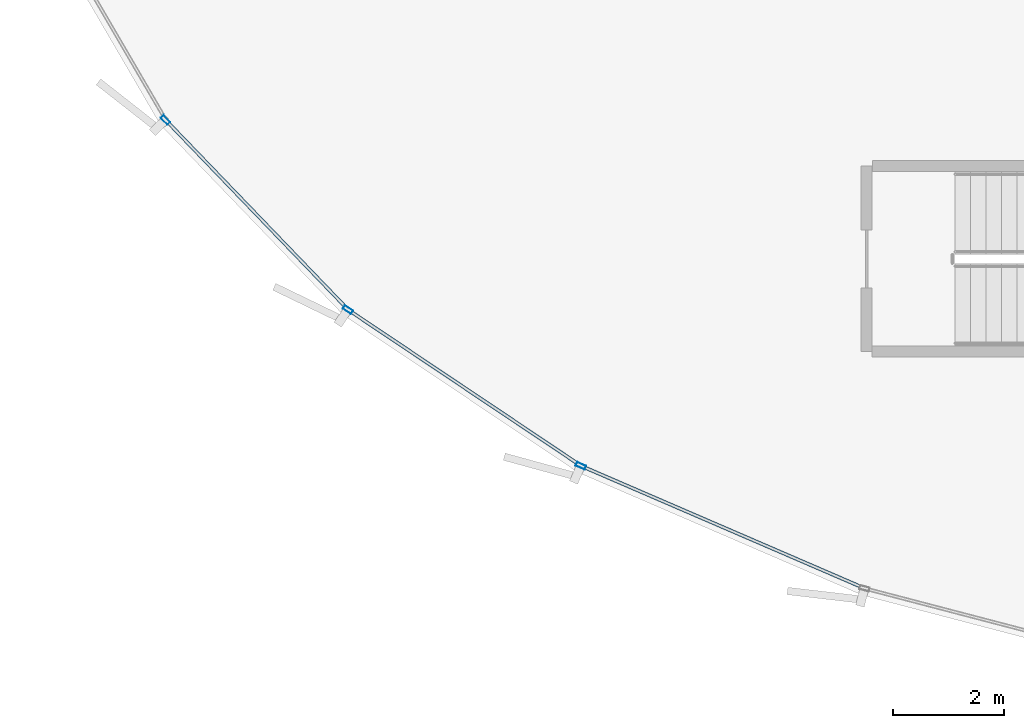
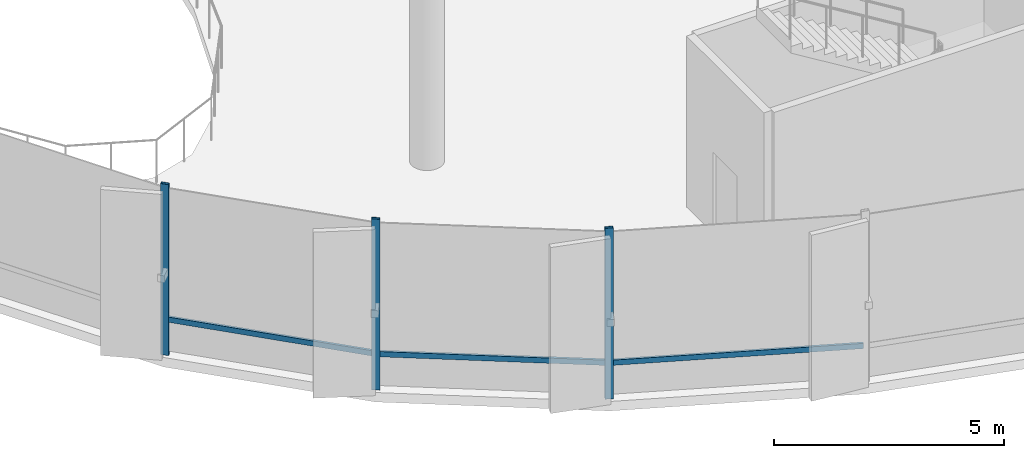
# One storey, part 2 of 33: 6 members, 1 element without a shape of its own.
"""IFC4 building model written with IfcOpenShell, lengths in metres."""

import ifcopenshell
import ifcopenshell.guid

model = None  # the IFC model being written
_history = None  # IfcOwnerHistory: only IFC2X3 demands one
_inside = {}  # id of a spatial element -> (the spatial element, [elements in it])
_under = {}  # id of a project, library or spatial element -> (it, [spatial elements below it])
_declared = {}  # id of a project -> (the project, [libraries it declares])
_typed = {}  # id of a type object -> (the type object, [elements of that type])
_made_of = {}  # id of a material, layer set ... -> (it, [elements and type objects made of it])


def new_model(schema):
    """Start an empty IFC model of exactly this schema.

    Asked for "IFC4X3", IfcOpenShell would pick the latest addendum, in which some entities
    have other attributes; the version numbers below select the first issue.
    IFC2X3 requires an IfcOwnerHistory on every rooted entity: one is made here for all.
    """
    global model, _history
    if schema == "IFC4X3":
        model = ifcopenshell.file(schema_version=(4, 3, 0, 0))
    else:
        model = ifcopenshell.file(schema=schema)
    _inside.clear()
    _under.clear()
    _declared.clear()
    _typed.clear()
    _made_of.clear()
    _history = None
    if model.schema == "IFC2X3":
        org = make("IfcOrganization", Name="unknown")
        user = make(
            "IfcPersonAndOrganization",
            ThePerson=make("IfcPerson", FamilyName="unknown"),
            TheOrganization=org,
        )
        app = make(
            "IfcApplication",
            ApplicationDeveloper=org,
            Version="unknown",
            ApplicationFullName="unknown",
            ApplicationIdentifier="unknown",
        )
        _history = make(
            "IfcOwnerHistory",
            OwningUser=user,
            OwningApplication=app,
            ChangeAction="ADDED",
            CreationDate=0,
        )
    return model


def make(cls, **values):
    """One entity of the class cls with the attributes given. An attribute that is None is left unset."""
    return model.create_entity(
        cls, **{name: value for name, value in values.items() if value is not None}
    )


def rooted(cls, **values):
    """An entity with a GlobalId (a new one), such as an element, a storey or a relation."""
    return make(cls, GlobalId=ifcopenshell.guid.new(), OwnerHistory=_history, **values)


def si_unit(unit_type, name, prefix=None):
    """IfcSIUnit, for example si_unit("LENGTHUNIT", "METRE", prefix="MILLI")."""
    return make("IfcSIUnit", UnitType=unit_type, Prefix=prefix, Name=name)


def assignment(units):
    """IfcUnitAssignment: the units of a project."""
    return None if units is None else make("IfcUnitAssignment", Units=units)


def point(xyz):
    """IfcCartesianPoint."""
    return None if xyz is None else make("IfcCartesianPoint", Coordinates=xyz)


def direction(xyz):
    """IfcDirection."""
    return None if xyz is None else make("IfcDirection", DirectionRatios=xyz)


def frame(location, z_axis=None, x_axis=None):
    """IfcAxis2Placement3D, a coordinate frame: its origin and axes. An axis left out is left unset."""
    return make(
        "IfcAxis2Placement3D",
        Location=point(location),
        Axis=direction(z_axis),
        RefDirection=direction(x_axis),
    )


def frame_2d(location, x_axis=None):
    """IfcAxis2Placement2D, a coordinate frame in the plane: its origin and x axis."""
    return make(
        "IfcAxis2Placement2D", Location=point(location), RefDirection=direction(x_axis)
    )


def origin():
    """The frame at (0, 0, 0) with its axes left unset."""
    return frame((0.0, 0.0, 0.0))


def origin_2d():
    """The frame at (0, 0) in the plane with its x axis left unset."""
    return frame_2d((0.0, 0.0))


def place(relative_to, where):
    """IfcLocalPlacement: puts the frame where relative to a parent placement (None: the world)."""
    return make(
        "IfcLocalPlacement", PlacementRelTo=relative_to, RelativePlacement=where
    )


def context(
    kind, dimensions, precision=None, world=None, true_north=None, identifier=None
):
    """IfcGeometricRepresentationContext, for example the 3D "Model" context."""
    return make(
        "IfcGeometricRepresentationContext",
        ContextIdentifier=identifier,
        ContextType=kind,
        CoordinateSpaceDimension=dimensions,
        Precision=precision,
        WorldCoordinateSystem=world,
        TrueNorth=true_north,
    )


def subcontext(parent, identifier, kind, view, scale=None):
    """IfcGeometricRepresentationSubContext, for example "Body" below "Model"."""
    return make(
        "IfcGeometricRepresentationSubContext",
        ContextIdentifier=identifier,
        ContextType=kind,
        ParentContext=parent,
        TargetScale=scale,
        TargetView=view,
    )


def project(units=None, contexts=None):
    """IfcProject with its units and contexts."""
    return rooted(
        "IfcProject",
        Name="project",
        RepresentationContexts=contexts,
        UnitsInContext=assignment(units),
    )


def spatial(cls, under=None, at=None, **own):
    """A site, building, storey or space (cls), placed at a placement, below another one or the project."""
    s = rooted(cls, ObjectPlacement=at, **own)
    if under is not None:
        _under.setdefault(under.id(), (under, []))[1].append(s)
    return s


def profile(cls, at=None, kind="AREA", **sizes):
    """A parametric profile (cls). Its sizes go by their IFC names, for example OverallWidth=200.0."""
    return make(cls, ProfileType=kind, Position=at, **sizes)


def hollow_rectangle(**sizes):
    """IfcRectangleHollowProfileDef."""
    return profile("IfcRectangleHollowProfileDef", **sizes)


def extrude(swept, where, along, depth):
    """IfcExtrudedAreaSolid: the profile swept, set in the frame where, extruded along a direction by depth."""
    return make(
        "IfcExtrudedAreaSolid",
        SweptArea=swept,
        Position=where,
        ExtrudedDirection=direction(along),
        Depth=depth,
    )


def shape(context_of_items, identifier, shape_type, items):
    """IfcShapeRepresentation: the items that make up one representation, for example the "Body"."""
    return make(
        "IfcShapeRepresentation",
        ContextOfItems=context_of_items,
        RepresentationIdentifier=identifier,
        RepresentationType=shape_type,
        Items=items,
    )


def source(mapping_origin, context_of_items, identifier, shape_type, items):
    """IfcRepresentationMap: a shape defined once, which mapped items show again and again."""
    return make(
        "IfcRepresentationMap",
        MappingOrigin=mapping_origin,
        MappedRepresentation=shape(context_of_items, identifier, shape_type, items),
    )


def transform(
    local_origin,
    x_axis=None,
    y_axis=None,
    z_axis=None,
    scale=None,
    scale2=None,
    scale3=None,
    uniform=True,
):
    """IfcCartesianTransformationOperator3D, or its non-uniform kind. x_axis, y_axis, z_axis: its Axis1, 2, 3."""
    if uniform:
        return make(
            "IfcCartesianTransformationOperator3D",
            Axis1=direction(x_axis),
            Axis2=direction(y_axis),
            LocalOrigin=point(local_origin),
            Scale=scale,
            Axis3=direction(z_axis),
        )
    return make(
        "IfcCartesianTransformationOperator3DnonUniform",
        Axis1=direction(x_axis),
        Axis2=direction(y_axis),
        LocalOrigin=point(local_origin),
        Scale=scale,
        Axis3=direction(z_axis),
        Scale2=scale2,
        Scale3=scale3,
    )


def mapped(mapping_source, mapping_target):
    """IfcMappedItem: shows the shape of a source again, moved by a transform."""
    return make(
        "IfcMappedItem", MappingSource=mapping_source, MappingTarget=mapping_target
    )


def material(Name=None, Category=None):
    """IfcMaterial."""
    return make("IfcMaterial", Name=Name, Category=Category)


def layer(
    of_material, thickness, ventilated=None, Name=None, Category=None, Priority=None
):
    """IfcMaterialLayer: one layer of a wall or slab, of a material (None: an air gap)."""
    return make(
        "IfcMaterialLayer",
        Material=of_material,
        LayerThickness=thickness,
        IsVentilated=ventilated,
        Name=Name,
        Category=Category,
        Priority=Priority,
    )


def layer_set(layers, Name=None):
    """IfcMaterialLayerSet."""
    return make("IfcMaterialLayerSet", MaterialLayers=layers, LayerSetName=Name)


def material_profile(
    of_material, cross_section, Name=None, Category=None, Priority=None
):
    """IfcMaterialProfile: a cross section and its material."""
    return make(
        "IfcMaterialProfile",
        Name=Name,
        Material=of_material,
        Profile=cross_section,
        Priority=Priority,
        Category=Category,
    )


def profile_set(profiles, Name=None, composite=None):
    """IfcMaterialProfileSet."""
    return make(
        "IfcMaterialProfileSet",
        Name=Name,
        MaterialProfiles=profiles,
        CompositeProfile=composite,
    )


def made_of(thing, what):
    """Note that an element or type object is made of a material, layer set ...; save() writes the relation."""
    if what is not None:
        _made_of.setdefault(what.id(), (what, []))[1].append(thing)
    return thing


def type_object(cls, material=None, **own):
    """A type object (cls), such as IfcWallType, which elements share."""
    return made_of(rooted(cls, **own), material)


def element(
    cls,
    number,
    at=None,
    inside=None,
    cuts=None,
    type_object=None,
    material=None,
    context=None,
    identifier="Body",
    shape_type=None,
    held_by="IfcProductDefinitionShape",
    body=None,
    shapes=None,
    **own,
):
    """One element of the class cls, such as IfcWall. Its Tag is "e" and its number.

    at: its placement. inside: the storey or other place that contains it. cuts: it is an
    opening in that element (IfcRelVoidsElement). A single representation is given by context,
    identifier, shape_type and body (its items); several are given by shapes. held_by: the class
    of the entity that holds the representations. save() writes the other relations.
    """
    e = rooted(cls, Tag="e%d" % number, ObjectPlacement=at, **own)
    if body is not None:
        shapes = [shape(context, identifier, shape_type, body)]
    if shapes is not None:
        e.Representation = make(held_by, Representations=shapes)
    if inside is not None:
        _inside.setdefault(inside.id(), (inside, []))[1].append(e)
    if cuts is not None:
        rooted(
            "IfcRelVoidsElement", RelatingBuildingElement=cuts, RelatedOpeningElement=e
        )
    if type_object is not None:
        _typed.setdefault(type_object.id(), (type_object, []))[1].append(e)
    return made_of(e, material)


def aggregate(whole, parts):
    """IfcRelAggregates: a whole, such as a stair, and the parts it consists of."""
    return rooted("IfcRelAggregates", RelatingObject=whole, RelatedObjects=parts)


def save(model, path):
    """Write the relations noted so far, then the file.

    IfcRelAggregates (storeys below a building ...), IfcRelContainedInSpatialStructure (elements
    in a storey), IfcRelDefinesByType, IfcRelAssociatesMaterial and IfcRelDeclares: one each for
    every whole, place, type object, material and project.
    """
    for whole, parts in _under.values():
        aggregate(whole, parts)
    for where, things in _inside.values():
        rooted(
            "IfcRelContainedInSpatialStructure",
            RelatedElements=things,
            RelatingStructure=where,
        )
    for kind, things in _typed.values():
        rooted("IfcRelDefinesByType", RelatedObjects=things, RelatingType=kind)
    for what, things in _made_of.values():
        rooted("IfcRelAssociatesMaterial", RelatedObjects=things, RelatingMaterial=what)
    for by, libraries in _declared.values():
        rooted("IfcRelDeclares", RelatingContext=by, RelatedDefinitions=libraries)
    model.write(path)


model = new_model("IFC4")

# Units and contexts
model_context = context("Model", 3, precision=1e-05, world=origin(), true_north=direction((0.0, 1.0)))
body_context = subcontext(model_context, "Body", "Model", "MODEL_VIEW")
ifc_project = project(units=[si_unit("LENGTHUNIT", "METRE"), si_unit("AREAUNIT", "SQUARE_METRE"), si_unit("VOLUMEUNIT", "CUBIC_METRE"), si_unit("PLANEANGLEUNIT", "RADIAN"), si_unit("MASSUNIT", "GRAM", prefix="KILO"), si_unit("THERMODYNAMICTEMPERATUREUNIT", "KELVIN")], contexts=[model_context])

# Site, building, storey
site_placement = place(None, origin())
site = spatial("IfcSite", under=ifc_project, at=site_placement, CompositionType="ELEMENT")
building_placement = place(site_placement, origin())
building = spatial("IfcBuilding", under=site, at=building_placement, Name="Kethvar Cultural Tower", CompositionType="ELEMENT")
storey_placement = place(building_placement, frame((0.0, 0.0, 10.0)))
storey = spatial("IfcBuildingStorey", under=building, at=storey_placement, Name="L02", CompositionType="ELEMENT", Elevation=10.0)

# Curtain wall, members
ifc_material = material(Name="Aluminium 6063-T6", Category="aluminium")
ifc_layer = layer(ifc_material, 0.179931640625, Name="Aluminium 6063-T6", Category="aluminium")
ifc_layer_set = layer_set([ifc_layer], Name="Aluminium 6063-T6 (180 mm)")
curtain_wall_type = type_object("IfcCurtainWallType", Name="CW-SYS-01-POD", PredefinedType="NOTDEFINED", material=ifc_layer_set)
curtain_wall_placement = place(storey_placement, origin())
curtain_wall = element("IfcCurtainWall", 1, at=curtain_wall_placement, inside=storey, type_object=curtain_wall_type, Name="L02 Curtain Wall Run 04", PredefinedType="NOTDEFINED")
ifc_material_profile_1 = material_profile(ifc_material, hollow_rectangle(XDim=0.06005859375, YDim=0.139892578125, WallThickness=0.0048828125, at=origin_2d()), Name="Aluminium 6063-T6 — RHS140x60x5")
ifc_profile_set_1 = profile_set([ifc_material_profile_1], Name="Aluminium 6063-T6 — RHS140x60x5")
member_type_1 = type_object("IfcMemberType", Name="CW-SYS-01-POD-TRN", PredefinedType="USERDEFINED", material=ifc_profile_set_1)
shared_shape_1 = source(origin(), body_context, "Body", "SweptSolid", [
    extrude(hollow_rectangle(XDim=0.06005859375, YDim=0.139892578125, WallThickness=0.0048828125, at=origin_2d()), origin(), (0.0, 0.0, 1.0), 4.6826171875),
])
member_1_placement = place(storey_placement, frame((5.24658203125, 11.657470703125, 0.949951171875), z_axis=(0.693341040309, -0.72060960431, 0.0), x_axis=(0.72060960431, 0.693341040309, 0.0)))
member_1 = element("IfcMember", 2, at=member_1_placement, type_object=member_type_1, Name="CW-L02-R04 Transom 2", ObjectType="TRANSOM", PredefinedType="USERDEFINED", context=body_context, shape_type="MappedRepresentation", body=[
    mapped(shared_shape_1, transform((0.0, 0.0, 0.0), scale=1.0)),
])
shared_shape_2 = source(origin(), body_context, "Body", "SweptSolid", [
    extrude(hollow_rectangle(XDim=0.06005859375, YDim=0.139892578125, WallThickness=0.0048828125, at=origin_2d()), origin(), (0.0, 0.0, 1.0), 4.991455078125),
])
member_2_placement = place(storey_placement, frame((8.55419921875, 8.232177734375, 0.949951171875), z_axis=(0.830806616573, -0.556561196867, 0.0), x_axis=(0.556561196867, 0.830806616573, 0.0)))
member_2 = element("IfcMember", 3, at=member_2_placement, type_object=member_type_1, Name="CW-L02-R04 Transom 3", ObjectType="TRANSOM", PredefinedType="USERDEFINED", context=body_context, shape_type="MappedRepresentation", body=[
    mapped(shared_shape_2, transform((0.0, 0.0, 0.0), scale=1.0)),
])
shared_shape_3 = source(origin(), body_context, "Body", "SweptSolid", [
    extrude(hollow_rectangle(XDim=0.06005859375, YDim=0.139892578125, WallThickness=0.0048828125, at=origin_2d()), origin(), (0.0, 0.0, 1.0), 5.504638671875),
])
member_3_placement = place(storey_placement, frame((12.77490234375, 5.413818359375, 0.949951171875), z_axis=(0.918072625283, -0.39641222825, 0.0), x_axis=(0.39641222825, 0.918072625283, 0.0)))
member_3 = element("IfcMember", 4, at=member_3_placement, type_object=member_type_1, Name="CW-L02-R04 Transom 4", ObjectType="TRANSOM", PredefinedType="USERDEFINED", context=body_context, shape_type="MappedRepresentation", body=[
    mapped(shared_shape_3, transform((0.0, 0.0, 0.0), scale=1.0)),
])
ifc_material_profile_2 = material_profile(ifc_material, hollow_rectangle(XDim=0.074951171875, YDim=0.179931640625, WallThickness=0.006103515625, at=origin_2d()), Name="Aluminium 6063-T6 — RHS180x75x6")
ifc_profile_set_2 = profile_set([ifc_material_profile_2], Name="Aluminium 6063-T6 — RHS180x75x6")
member_type_2 = type_object("IfcMemberType", Name="CW-SYS-01-POD-MUL", PredefinedType="MULLION", material=ifc_profile_set_2)
shared_shape_4 = source(origin(), body_context, "Body", "SweptSolid", [
    extrude(hollow_rectangle(XDim=0.074951171875, YDim=0.179931640625, WallThickness=0.006103515625, at=origin_2d()), origin(), (0.0, 0.0, 1.0), 4.530029296875),
])
member_4_placement = place(storey_placement, frame((5.209228515625, 11.6962890625, 0.0), z_axis=(0.0, 0.0, 1.0), x_axis=(0.720611619661, 0.693338945689, 0.0)))
member_4 = element("IfcMember", 5, at=member_4_placement, type_object=member_type_2, Name="CW-L02-R04 Mullion 2", PredefinedType="MULLION", context=body_context, shape_type="MappedRepresentation", body=[
    mapped(shared_shape_4, transform((0.0, 0.0, 0.0), scale=1.0)),
])
member_5_placement = place(storey_placement, frame((8.50927734375, 8.26220703125, 0.0), z_axis=(0.0, 0.0, 1.0), x_axis=(0.556556649514, 0.830809662848, 0.0)))
member_5 = element("IfcMember", 6, at=member_5_placement, type_object=member_type_2, Name="CW-L02-R04 Mullion 3", PredefinedType="MULLION", context=body_context, shape_type="MappedRepresentation", body=[
    mapped(shared_shape_4, transform((0.0, 0.0, 0.0), scale=1.0)),
])
member_6_placement = place(storey_placement, frame((12.72509765625, 5.435302734375, 0.0), z_axis=(0.0, 0.0, 1.0), x_axis=(0.396410942082, 0.918073180633, 0.0)))
member_6 = element("IfcMember", 7, at=member_6_placement, type_object=member_type_2, Name="CW-L02-R04 Mullion 4", PredefinedType="MULLION", context=body_context, shape_type="MappedRepresentation", body=[
    mapped(shared_shape_4, transform((0.0, 0.0, 0.0), scale=1.0)),
])
aggregate(curtain_wall, [member_4, member_5, member_6, member_1, member_2, member_3])

save(model, "model.ifc")
